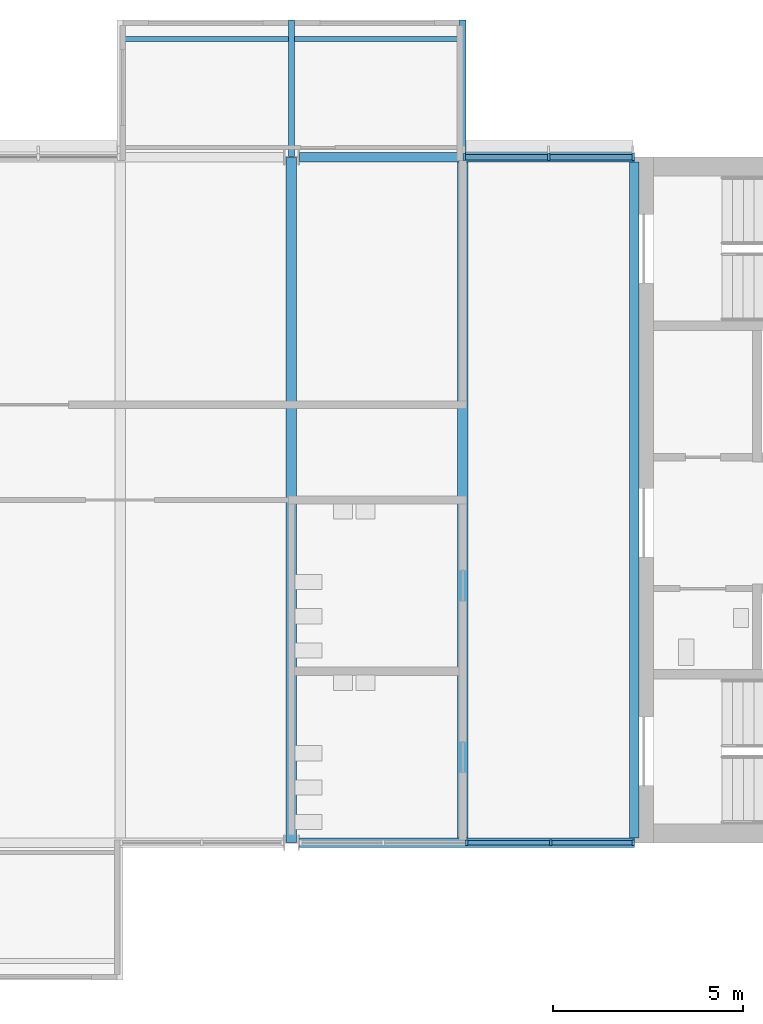
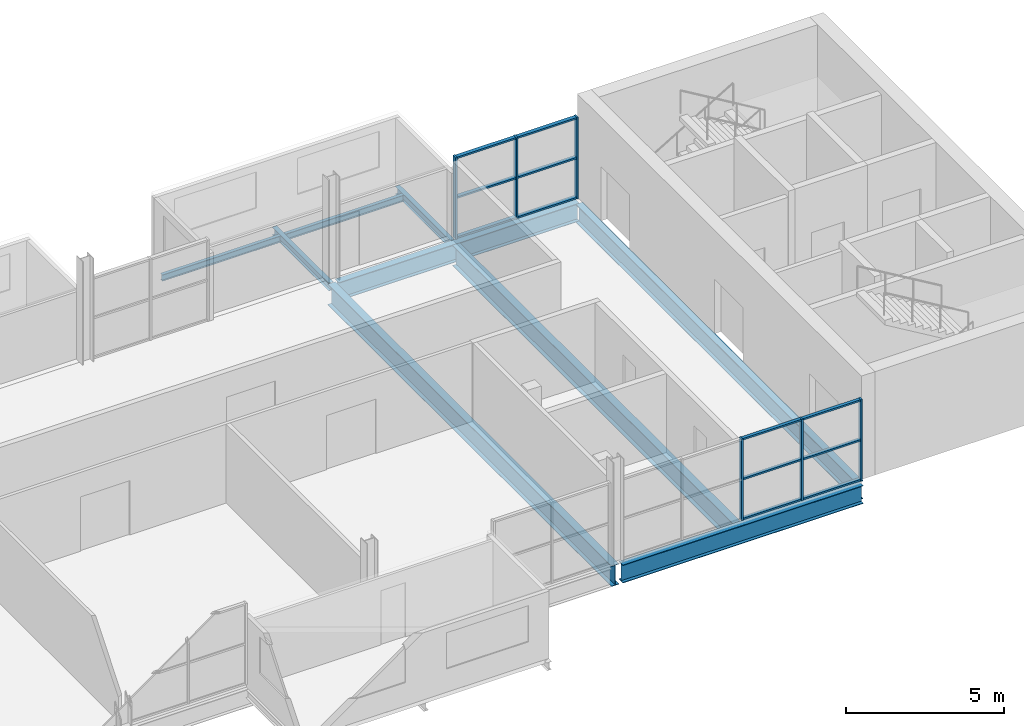
# One storey, part 3 of 10: 18 members, 9 beams, 2 elements without a shape of their own.
"""IFC4 building model written with IfcOpenShell, lengths in metres."""

from ifc_helpers import new_model, si_unit, direction, frame, origin, origin_2d, place, context, subcontext, project, spatial, rectangle, i_section, extrude, material, layer, layer_set, material_profile, profile_set, type_object, element, aggregate, save


model = new_model("IFC4")

# Units and contexts
model_context = context("Model", 3, precision=1e-05, world=origin(), true_north=direction((0.0, 1.0)))
body_context = subcontext(model_context, "Body", "Model", "MODEL_VIEW")
ifc_project = project(units=[si_unit("LENGTHUNIT", "METRE"), si_unit("AREAUNIT", "SQUARE_METRE"), si_unit("VOLUMEUNIT", "CUBIC_METRE"), si_unit("PLANEANGLEUNIT", "RADIAN"), si_unit("MASSUNIT", "GRAM", prefix="KILO")], contexts=[model_context])

# Site, building, storey
site_placement = place(None, origin())
site = spatial("IfcSite", under=ifc_project, at=site_placement, CompositionType="ELEMENT")
building_placement = place(site_placement, origin())
building = spatial("IfcBuilding", under=site, at=building_placement, Name="Corbel Yard City Hall", CompositionType="ELEMENT")
storey_placement = place(building_placement, frame((0.0, 0.0, 47.199951171875)))
storey = spatial("IfcBuildingStorey", under=building, at=storey_placement, Name="L11", CompositionType="ELEMENT", Elevation=47.199951171875)

# Beams
ifc_material_1 = material(Name="Steel Grade 350", Category="steel")
ifc_material_profile_1 = material_profile(ifc_material_1, i_section(OverallWidth=0.25, OverallDepth=0.699951171875, WebThickness=0.010009765625, FlangeThickness=0.02001953125, at=origin_2d()), Name="700WB130")
ifc_profile_set_1 = profile_set([ifc_material_profile_1], Name="Steel Grade 350")
beam_type_1 = type_object("IfcBeamType", Name="Edge beam 700WB130", PredefinedType="BEAM", material=ifc_profile_set_1)
for number, where, z_axis, x_axis, name in (
    (1, (36.20703125, 99.0, -0.5), (1.0, 0.0, 0.0), (0.0, 1.0, 0.0), "Edge beam 700WB130 EB9 L11tower"),
    (2, (36.20703125, 117.0, -0.5), (1.0, 0.0, 0.0), (0.0, 1.0, 0.0), "Edge beam 700WB130 EB9 L11tower"),
):
    element("IfcBeam", number, at=place(storey_placement, frame(where, z_axis=z_axis, x_axis=x_axis)), inside=storey, type_object=beam_type_1, Name=name, PredefinedType="BEAM", context=body_context, shape_type="SweptSolid", body=[
        extrude(i_section(OverallWidth=0.25, OverallDepth=0.699951171875, WebThickness=0.010009765625, FlangeThickness=0.02001953125, at=origin_2d()), origin(), (0.0, 0.0, 1.0), 8.79296875),
    ])
ifc_material_profile_2 = material_profile(ifc_material_1, i_section(OverallWidth=0.27490234375, OverallDepth=0.800048828125, WebThickness=0.010009765625, FlangeThickness=0.02001953125, at=origin_2d()), Name="800WB146")
ifc_profile_set_2 = profile_set([ifc_material_profile_2], Name="Steel Grade 350")
beam_type_2 = type_object("IfcBeamType", Name="Long-span beam 800WB146", PredefinedType="BEAM", material=ifc_profile_set_2)
beam_1_placement = place(storey_placement, frame((36.0, 99.012451171875, -0.550048828125), z_axis=(0.0, 1.0, 0.0), x_axis=(-1.0, 0.0, 0.0)))
element("IfcBeam", 3, at=beam_1_placement, inside=storey, type_object=beam_type_2, Name="Long-span beam 800WB146 SB8 L11tower", PredefinedType="BEAM", context=body_context, shape_type="SweptSolid", body=[
    extrude(i_section(OverallWidth=0.27490234375, OverallDepth=0.800048828125, WebThickness=0.010009765625, FlangeThickness=0.02001953125, at=origin_2d()), origin(), (0.0, 0.0, 1.0), 17.97509765625),
])
ifc_material_profile_3 = material_profile(ifc_material_1, i_section(OverallWidth=0.25, OverallDepth=0.7099609375, WebThickness=0.010009765625, FlangeThickness=0.02490234375, at=origin_2d()), Name="700WB150")
ifc_profile_set_3 = profile_set([ifc_material_profile_3], Name="Steel Grade 350")
beam_type_3 = type_object("IfcBeamType", Name="Long-span edge beam 700WB150", PredefinedType="BEAM", material=ifc_profile_set_3)
beam_2_placement = place(storey_placement, frame((45.0, 99.125, -0.5048828125), z_axis=(0.0, 1.0, 0.0), x_axis=(-1.0, 0.0, 0.0)))
element("IfcBeam", 4, at=beam_2_placement, inside=storey, type_object=beam_type_3, Name="Long-span edge beam 700WB150 EB8 L11tower", PredefinedType="BEAM", context=body_context, shape_type="SweptSolid", body=[
    extrude(i_section(OverallWidth=0.25, OverallDepth=0.7099609375, WebThickness=0.010009765625, FlangeThickness=0.02490234375, at=origin_2d()), origin(), (0.0, 0.0, 1.0), 17.75),
])
ifc_material_profile_4 = material_profile(ifc_material_1, i_section(OverallWidth=0.27490234375, OverallDepth=0.800048828125, WebThickness=0.010009765625, FlangeThickness=0.02001953125, at=origin_2d()), Name="800WB146")
ifc_profile_set_4 = profile_set([ifc_material_profile_4], Name="Steel Grade 350")
beam_type_4 = type_object("IfcBeamType", Name="Long-span secondary beam 800WB146", PredefinedType="JOIST", material=ifc_profile_set_4)
beam_3_placement = place(storey_placement, frame((40.5, 99.125, -0.550048828125), z_axis=(0.0, 1.0, 0.0), x_axis=(-1.0, 0.0, 0.0)))
element("IfcBeam", 5, at=beam_3_placement, inside=storey, type_object=beam_type_4, Name="Long-span secondary beam 800WB146 SB7 L11tower", PredefinedType="JOIST", context=body_context, shape_type="SweptSolid", body=[
    extrude(i_section(OverallWidth=0.27490234375, OverallDepth=0.800048828125, WebThickness=0.010009765625, FlangeThickness=0.02001953125, at=origin_2d()), origin(), (0.0, 0.0, 1.0), 17.75),
])

# Curtain wall, members
ifc_material_2 = material(Name="Aluminium extrusion", Category="aluminium")
ifc_layer_1 = layer(ifc_material_2, 0.14990234375)
ifc_layer_set_1 = layer_set([ifc_layer_1], Name="Aluminium extrusion")
curtain_wall_type_1 = type_object("IfcCurtainWallType", Name="CW2", PredefinedType="USERDEFINED", material=ifc_layer_set_1)
curtain_wall_1_placement = place(storey_placement, origin())
curtain_wall_1 = element("IfcCurtainWall", 6, at=curtain_wall_1_placement, inside=storey, type_object=curtain_wall_type_1, Name="Curtain wall CW2 L11", ObjectType="CURTAIN WALL", PredefinedType="USERDEFINED")
ifc_material_profile_5 = material_profile(ifc_material_2, rectangle(XDim=0.14990234375, YDim=0.06494140625, at=origin_2d()), Name="150x65")
ifc_profile_set_5 = profile_set([ifc_material_profile_5], Name="Aluminium extrusion")
member_type_1 = type_object("IfcMemberType", Name="ML2", PredefinedType="MULLION", material=ifc_profile_set_5)
member_1_placement = place(storey_placement, frame((40.603515625, 99.0, 0.0), z_axis=(0.0, 0.0, 1.0), x_axis=(0.0, 1.0, 0.0)))
member_1 = element("IfcMember", 7, at=member_1_placement, type_object=member_type_1, Name="CW2 mullion 3", PredefinedType="MULLION", context=body_context, shape_type="SweptSolid", body=[
    extrude(rectangle(XDim=0.14990234375, YDim=0.06494140625, at=origin_2d()), origin(), (0.0, 0.0, 1.0), 3.150146484375),
])
member_2_placement = place(storey_placement, frame((42.8017578125, 99.0, 0.0), z_axis=(0.0, 0.0, 1.0), x_axis=(0.0, 1.0, 0.0)))
member_2 = element("IfcMember", 8, at=member_2_placement, type_object=member_type_1, Name="CW2 mullion 4", PredefinedType="MULLION", context=body_context, shape_type="SweptSolid", body=[
    extrude(rectangle(XDim=0.14990234375, YDim=0.06494140625, at=origin_2d()), origin(), (0.0, 0.0, 1.0), 3.150146484375),
])
member_3_placement = place(storey_placement, frame((44.967529296875, 99.0, 0.0), z_axis=(0.0, 0.0, 1.0), x_axis=(0.0, 1.0, 0.0)))
member_3 = element("IfcMember", 9, at=member_3_placement, type_object=member_type_1, Name="CW2 mullion 5", PredefinedType="MULLION", context=body_context, shape_type="SweptSolid", body=[
    extrude(rectangle(XDim=0.14990234375, YDim=0.06494140625, at=origin_2d()), origin(), (0.0, 0.0, 1.0), 3.150146484375),
])

ifc_layer_2 = layer(ifc_material_2, 0.179931640625)
ifc_layer_set_2 = layer_set([ifc_layer_2], Name="Aluminium extrusion")
curtain_wall_type_2 = type_object("IfcCurtainWallType", Name="CW6", PredefinedType="USERDEFINED", material=ifc_layer_set_2)
curtain_wall_2_placement = place(storey_placement, origin())
curtain_wall_2 = element("IfcCurtainWall", 10, at=curtain_wall_2_placement, inside=storey, type_object=curtain_wall_type_2, Name="Curtain wall CW6 L11", ObjectType="CURTAIN WALL", PredefinedType="USERDEFINED")
ifc_material_profile_6 = material_profile(ifc_material_2, rectangle(XDim=0.179931640625, YDim=0.06494140625, at=origin_2d()), Name="180x65")
ifc_profile_set_6 = profile_set([ifc_material_profile_6], Name="Aluminium extrusion")
member_type_2 = type_object("IfcMemberType", Name="ML6", PredefinedType="MULLION", material=ifc_profile_set_6)
member_4_placement = place(storey_placement, frame((40.532470703125, 117.0, 0.0), z_axis=(0.0, 0.0, 1.0), x_axis=(0.0, 1.0, 0.0)))
member_4 = element("IfcMember", 11, at=member_4_placement, type_object=member_type_2, Name="CW6 mullion 1", PredefinedType="MULLION", context=body_context, shape_type="SweptSolid", body=[
    extrude(rectangle(XDim=0.179931640625, YDim=0.06494140625, at=origin_2d()), origin(), (0.0, 0.0, 1.0), 3.150146484375),
])
member_5_placement = place(storey_placement, frame((42.75, 117.0, 0.0), z_axis=(0.0, 0.0, 1.0), x_axis=(0.0, 1.0, 0.0)))
member_5 = element("IfcMember", 12, at=member_5_placement, type_object=member_type_2, Name="CW6 mullion 2", PredefinedType="MULLION", context=body_context, shape_type="SweptSolid", body=[
    extrude(rectangle(XDim=0.179931640625, YDim=0.06494140625, at=origin_2d()), origin(), (0.0, 0.0, 1.0), 3.150146484375),
])
member_6_placement = place(storey_placement, frame((44.967529296875, 117.0, 0.0), z_axis=(0.0, 0.0, 1.0), x_axis=(0.0, 1.0, 0.0)))
member_6 = element("IfcMember", 13, at=member_6_placement, type_object=member_type_2, Name="CW6 mullion 3", PredefinedType="MULLION", context=body_context, shape_type="SweptSolid", body=[
    extrude(rectangle(XDim=0.179931640625, YDim=0.06494140625, at=origin_2d()), origin(), (0.0, 0.0, 1.0), 3.150146484375),
])

# Beams
ifc_material_3 = material(Name="Steel Grade 300 (300 MPa yield)", Category="steel")
ifc_material_profile_7 = material_profile(ifc_material_3, i_section(OverallWidth=0.166015625, OverallDepth=0.306884765625, WebThickness=0.006591796875, FlangeThickness=0.01171875, at=origin_2d()), Name="310UB46.2")
ifc_profile_set_7 = profile_set([ifc_material_profile_7], Name="Steel Grade 300 (300 MPa yield)")
beam_type_5 = type_object("IfcBeamType", Name="Pod stub beam 310UB46.2", PredefinedType="BEAM", material=ifc_profile_set_7)
beam_4_placement = place(storey_placement, frame((36.0, 117.012451171875, -0.303466796875), z_axis=(0.0, 1.0, 0.0), x_axis=(-1.0, 0.0, 0.0)))
element("IfcBeam", 14, at=beam_4_placement, inside=storey, type_object=beam_type_5, Name="Pod stub 310UB46.2 CB1 L11", PredefinedType="BEAM", context=body_context, shape_type="SweptSolid", body=[
    extrude(i_section(OverallWidth=0.166015625, OverallDepth=0.306884765625, WebThickness=0.006591796875, FlangeThickness=0.01171875, at=origin_2d()), origin(), (0.0, 0.0, 1.0), 3.587646484375),
])
beam_5_placement = place(storey_placement, frame((40.5, 117.125, -0.303466796875), z_axis=(0.0, 1.0, 0.0), x_axis=(-1.0, 0.0, 0.0)))
element("IfcBeam", 15, at=beam_5_placement, inside=storey, type_object=beam_type_5, Name="Pod stub 310UB46.2 CB1 L11", PredefinedType="BEAM", context=body_context, shape_type="SweptSolid", body=[
    extrude(i_section(OverallWidth=0.166015625, OverallDepth=0.306884765625, WebThickness=0.006591796875, FlangeThickness=0.01171875, at=origin_2d()), origin(), (0.0, 0.0, 1.0), 3.47509765625),
])
ifc_material_profile_8 = material_profile(ifc_material_3, i_section(OverallWidth=0.1240234375, OverallDepth=0.248046875, WebThickness=0.0048828125, FlangeThickness=0.008056640625, at=origin_2d()), Name="250UB25.7")
ifc_profile_set_8 = profile_set([ifc_material_profile_8], Name="Steel Grade 300 (300 MPa yield)")
beam_type_6 = type_object("IfcBeamType", Name="Pod tip beam", PredefinedType="BEAM", material=ifc_profile_set_8)
for number, where, z_axis, x_axis, name in (
    (16, (31.5830078125, 120.10009765625, -0.27392578125), (1.0, 0.0, 0.0), (0.0, 1.0, 0.0), "Pod tip beam"),
    (17, (36.0830078125, 120.10009765625, -0.27392578125), (1.0, 0.0, 0.0), (0.0, 1.0, 0.0), "Pod tip beam"),
):
    element("IfcBeam", number, at=place(storey_placement, frame(where, z_axis=z_axis, x_axis=x_axis)), inside=storey, type_object=beam_type_6, Name=name, PredefinedType="BEAM", context=body_context, shape_type="SweptSolid", body=[
        extrude(i_section(OverallWidth=0.1240234375, OverallDepth=0.248046875, WebThickness=0.0048828125, FlangeThickness=0.008056640625, at=origin_2d()), origin(), (0.0, 0.0, 1.0), 4.333984375),
    ])

# Member
ifc_material_profile_9 = material_profile(ifc_material_2, rectangle(XDim=0.1201171875, YDim=0.06494140625, at=origin_2d()), Name="120x65")
ifc_profile_set_9 = profile_set([ifc_material_profile_9], Name="Aluminium extrusion")
member_type_3 = type_object("IfcMemberType", Name="TR2", PredefinedType="USERDEFINED", material=ifc_profile_set_9)
member_7_placement = place(storey_placement, frame((40.635986328125, 99.0, 0.032470703125), z_axis=(1.0, 0.0, 0.0), x_axis=(0.0, 1.0, 0.0)))
member_7 = element("IfcMember", 18, at=member_7_placement, type_object=member_type_3, Name="CW2 transom 3.1", ObjectType="TRANSOM", PredefinedType="USERDEFINED", context=body_context, shape_type="SweptSolid", body=[
    extrude(rectangle(XDim=0.1201171875, YDim=0.06494140625, at=origin_2d()), origin(), (0.0, 0.0, 1.0), 2.13330078125),
])

member_8_placement = place(storey_placement, frame((40.635986328125, 99.0, 1.574951171875), z_axis=(1.0, 0.0, 0.0), x_axis=(0.0, 1.0, 0.0)))
member_8 = element("IfcMember", 19, at=member_8_placement, type_object=member_type_3, Name="CW2 transom 3.2", ObjectType="TRANSOM", PredefinedType="USERDEFINED", context=body_context, shape_type="SweptSolid", body=[
    extrude(rectangle(XDim=0.1201171875, YDim=0.06494140625, at=origin_2d()), origin(), (0.0, 0.0, 1.0), 2.13330078125),
])

member_9_placement = place(storey_placement, frame((40.635986328125, 99.0, 3.117431640625), z_axis=(1.0, 0.0, 0.0), x_axis=(0.0, 1.0, 0.0)))
member_9 = element("IfcMember", 20, at=member_9_placement, type_object=member_type_3, Name="CW2 transom 3.3", ObjectType="TRANSOM", PredefinedType="USERDEFINED", context=body_context, shape_type="SweptSolid", body=[
    extrude(rectangle(XDim=0.1201171875, YDim=0.06494140625, at=origin_2d()), origin(), (0.0, 0.0, 1.0), 2.13330078125),
])

member_10_placement = place(storey_placement, frame((42.834228515625, 99.0, 0.032470703125), z_axis=(1.0, 0.0, 0.0), x_axis=(0.0, 1.0, 0.0)))
member_10 = element("IfcMember", 21, at=member_10_placement, type_object=member_type_3, Name="CW2 transom 4.1", ObjectType="TRANSOM", PredefinedType="USERDEFINED", context=body_context, shape_type="SweptSolid", body=[
    extrude(rectangle(XDim=0.1201171875, YDim=0.06494140625, at=origin_2d()), origin(), (0.0, 0.0, 1.0), 2.100830078125),
])

member_11_placement = place(storey_placement, frame((42.834228515625, 99.0, 1.574951171875), z_axis=(1.0, 0.0, 0.0), x_axis=(0.0, 1.0, 0.0)))
member_11 = element("IfcMember", 22, at=member_11_placement, type_object=member_type_3, Name="CW2 transom 4.2", ObjectType="TRANSOM", PredefinedType="USERDEFINED", context=body_context, shape_type="SweptSolid", body=[
    extrude(rectangle(XDim=0.1201171875, YDim=0.06494140625, at=origin_2d()), origin(), (0.0, 0.0, 1.0), 2.100830078125),
])

member_12_placement = place(storey_placement, frame((42.834228515625, 99.0, 3.117431640625), z_axis=(1.0, 0.0, 0.0), x_axis=(0.0, 1.0, 0.0)))
member_12 = element("IfcMember", 23, at=member_12_placement, type_object=member_type_3, Name="CW2 transom 4.3", ObjectType="TRANSOM", PredefinedType="USERDEFINED", context=body_context, shape_type="SweptSolid", body=[
    extrude(rectangle(XDim=0.1201171875, YDim=0.06494140625, at=origin_2d()), origin(), (0.0, 0.0, 1.0), 2.100830078125),
])

aggregate(curtain_wall_1, [member_1, member_2, member_3, member_7, member_8, member_9, member_10, member_11, member_12])

ifc_material_profile_10 = material_profile(ifc_material_2, rectangle(XDim=0.139892578125, YDim=0.06494140625, at=origin_2d()), Name="140x65")
ifc_profile_set_10 = profile_set([ifc_material_profile_10], Name="Aluminium extrusion")
member_type_4 = type_object("IfcMemberType", Name="TR6", PredefinedType="USERDEFINED", material=ifc_profile_set_10)
member_13_placement = place(storey_placement, frame((40.56494140625, 117.0, 0.032470703125), z_axis=(1.0, 0.0, 0.0), x_axis=(0.0, 1.0, 0.0)))
member_13 = element("IfcMember", 24, at=member_13_placement, type_object=member_type_4, Name="CW6 transom 1.1", ObjectType="TRANSOM", PredefinedType="USERDEFINED", context=body_context, shape_type="SweptSolid", body=[
    extrude(rectangle(XDim=0.139892578125, YDim=0.06494140625, at=origin_2d()), origin(), (0.0, 0.0, 1.0), 2.152587890625),
])

member_14_placement = place(storey_placement, frame((40.56494140625, 117.0, 1.574951171875), z_axis=(1.0, 0.0, 0.0), x_axis=(0.0, 1.0, 0.0)))
member_14 = element("IfcMember", 25, at=member_14_placement, type_object=member_type_4, Name="CW6 transom 1.2", ObjectType="TRANSOM", PredefinedType="USERDEFINED", context=body_context, shape_type="SweptSolid", body=[
    extrude(rectangle(XDim=0.139892578125, YDim=0.06494140625, at=origin_2d()), origin(), (0.0, 0.0, 1.0), 2.152587890625),
])

member_15_placement = place(storey_placement, frame((40.56494140625, 117.0, 3.117431640625), z_axis=(1.0, 0.0, 0.0), x_axis=(0.0, 1.0, 0.0)))
member_15 = element("IfcMember", 26, at=member_15_placement, type_object=member_type_4, Name="CW6 transom 1.3", ObjectType="TRANSOM", PredefinedType="USERDEFINED", context=body_context, shape_type="SweptSolid", body=[
    extrude(rectangle(XDim=0.139892578125, YDim=0.06494140625, at=origin_2d()), origin(), (0.0, 0.0, 1.0), 2.152587890625),
])

member_16_placement = place(storey_placement, frame((42.782470703125, 117.0, 0.032470703125), z_axis=(1.0, 0.0, 0.0), x_axis=(0.0, 1.0, 0.0)))
member_16 = element("IfcMember", 27, at=member_16_placement, type_object=member_type_4, Name="CW6 transom 2.1", ObjectType="TRANSOM", PredefinedType="USERDEFINED", context=body_context, shape_type="SweptSolid", body=[
    extrude(rectangle(XDim=0.139892578125, YDim=0.06494140625, at=origin_2d()), origin(), (0.0, 0.0, 1.0), 2.152587890625),
])

member_17_placement = place(storey_placement, frame((42.782470703125, 117.0, 1.574951171875), z_axis=(1.0, 0.0, 0.0), x_axis=(0.0, 1.0, 0.0)))
member_17 = element("IfcMember", 28, at=member_17_placement, type_object=member_type_4, Name="CW6 transom 2.2", ObjectType="TRANSOM", PredefinedType="USERDEFINED", context=body_context, shape_type="SweptSolid", body=[
    extrude(rectangle(XDim=0.139892578125, YDim=0.06494140625, at=origin_2d()), origin(), (0.0, 0.0, 1.0), 2.152587890625),
])

member_18_placement = place(storey_placement, frame((42.782470703125, 117.0, 3.117431640625), z_axis=(1.0, 0.0, 0.0), x_axis=(0.0, 1.0, 0.0)))
member_18 = element("IfcMember", 29, at=member_18_placement, type_object=member_type_4, Name="CW6 transom 2.3", ObjectType="TRANSOM", PredefinedType="USERDEFINED", context=body_context, shape_type="SweptSolid", body=[
    extrude(rectangle(XDim=0.139892578125, YDim=0.06494140625, at=origin_2d()), origin(), (0.0, 0.0, 1.0), 2.152587890625),
])

aggregate(curtain_wall_2, [member_4, member_5, member_6, member_13, member_14, member_15, member_16, member_17, member_18])

save(model, "model.ifc")
